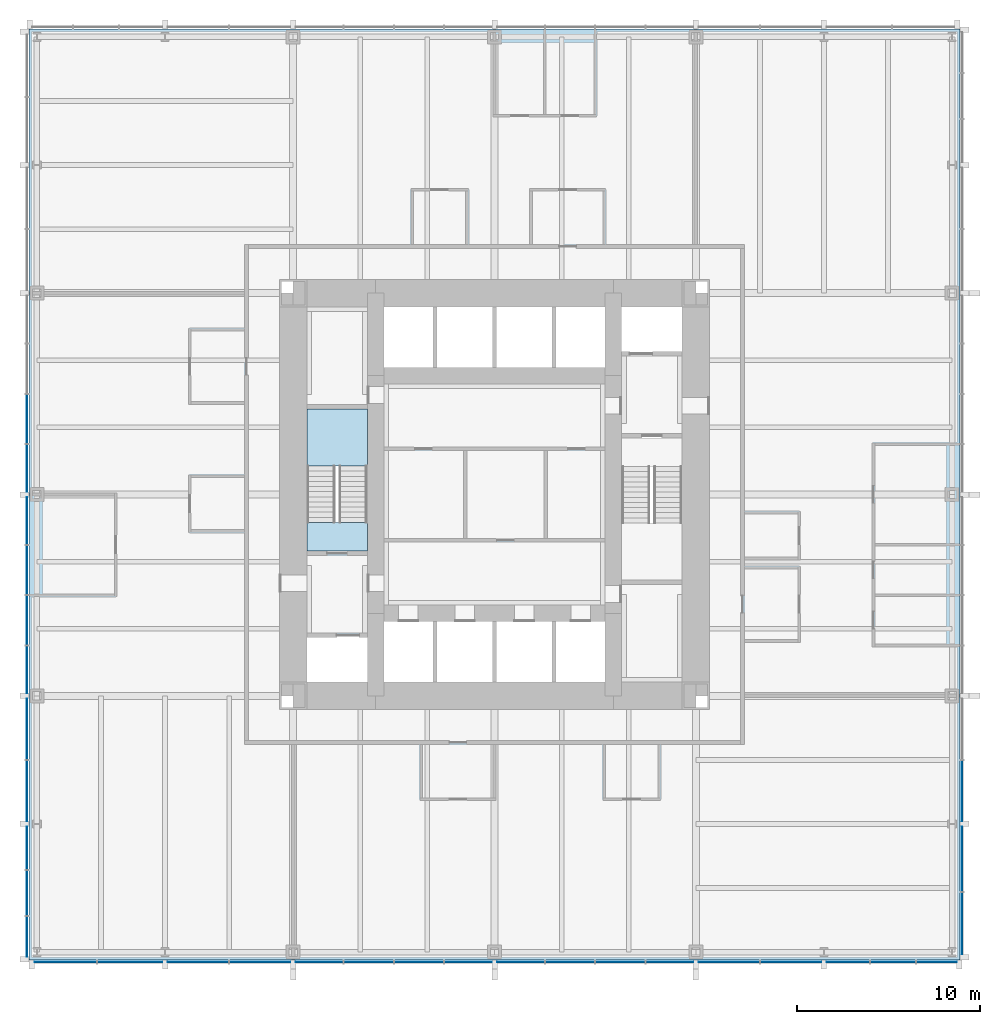
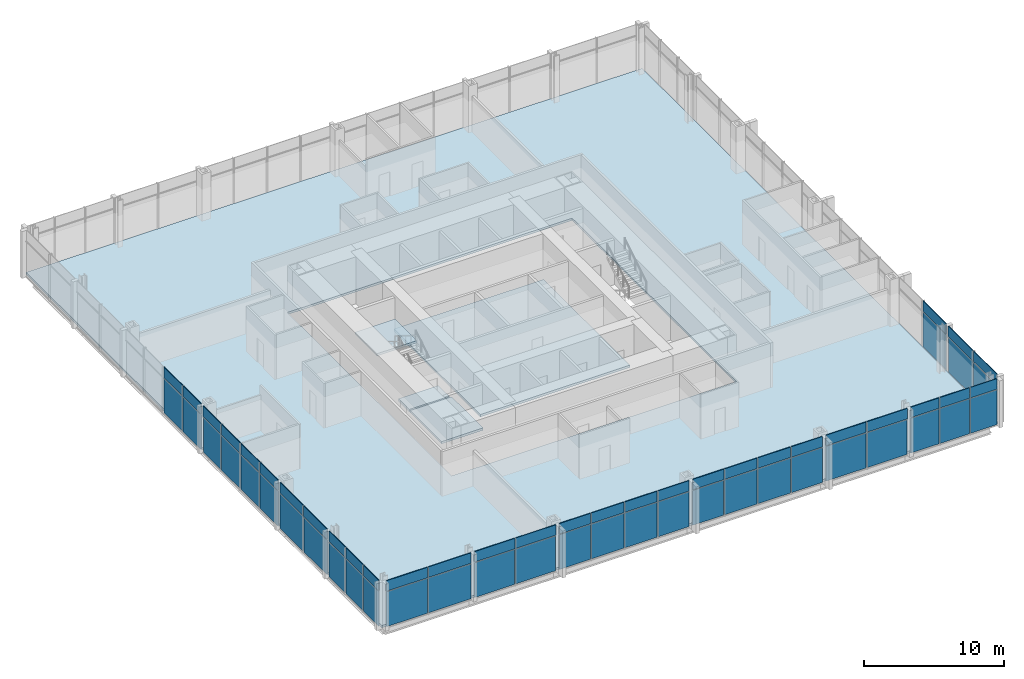
# One storey, part 7 of 12: 62 plates, 5 slabs, 4 elements without a shape of their own.
"""IFC4 building model written with IfcOpenShell, lengths in metres."""

from ifc_helpers import new_model, si_unit, direction, frame, origin, origin_2d, place, context, subcontext, project, spatial, polyline, rectangle, outline, extrude, material, layer, layer_set, type_object, element, aggregate, save


model = new_model("IFC4")

# Units and contexts
model_context = context("Model", 3, precision=1e-05, world=origin(), true_north=direction((0.0, 1.0)))
body_context = subcontext(model_context, "Body", "Model", "MODEL_VIEW")
ifc_project = project(units=[si_unit("LENGTHUNIT", "METRE"), si_unit("AREAUNIT", "SQUARE_METRE"), si_unit("VOLUMEUNIT", "CUBIC_METRE"), si_unit("PLANEANGLEUNIT", "RADIAN"), si_unit("MASSUNIT", "GRAM", prefix="KILO")], contexts=[model_context])

# Site, building, storey
site_placement = place(None, origin())
site = spatial("IfcSite", under=ifc_project, at=site_placement, CompositionType="ELEMENT")
building_placement = place(site_placement, origin())
building = spatial("IfcBuilding", under=site, at=building_placement, Name="Trevanion Tower", CompositionType="ELEMENT")
storey_placement = place(building_placement, frame((0.0, 0.0, 20.10009765625)))
storey = spatial("IfcBuildingStorey", under=building, at=storey_placement, Name="L04", CompositionType="ELEMENT", Elevation=20.10009765625)

# Curtain wall, plates
ifc_material_1 = material(Name="Aluminium and glass", Category="aluminium")
curtain_wall_type = type_object("IfcCurtainWallType", Name="CW1 curtain wall", PredefinedType="USERDEFINED", material=ifc_material_1)
curtain_wall_1_placement = place(storey_placement, origin())
curtain_wall_1 = element("IfcCurtainWall", 1, at=curtain_wall_1_placement, inside=storey, type_object=curtain_wall_type, Name="CW1 L04 0", ObjectType="UNITISED CURTAIN WALL", PredefinedType="USERDEFINED")
ifc_material_2 = material(Name="Aluminium spandrel panel", Category="aluminium")
ifc_layer_1 = layer(ifc_material_2, 0.06005859375)
ifc_layer_set_1 = layer_set([ifc_layer_1], Name="CW1 spandrel panel")
plate_type_1 = type_object("IfcPlateType", Name="CW1 spandrel panel", PredefinedType="CURTAIN_PANEL", material=ifc_layer_set_1)
plate_1_placement = place(storey_placement, frame((25.550048828125, -23.433837890625, 2.997314453125), z_axis=(0.0, 0.0, 1.0), x_axis=(0.0, 1.0, 0.0)))
plate_1 = element("IfcPlate", 2, at=plate_1_placement, type_object=plate_type_1, Name="CW1 panel 1.2", PredefinedType="CURTAIN_PANEL", context=body_context, shape_type="SweptSolid", body=[
    extrude(rectangle(XDim=3.37255859375, YDim=0.06005859375, at=origin_2d()), origin(), (0.0, 0.0, 1.0), 0.91259765625),
])
plate_2_placement = place(storey_placement, frame((25.550048828125, -19.911376953125, 2.997314453125), z_axis=(0.0, 0.0, 1.0), x_axis=(0.0, 1.0, 0.0)))
plate_2 = element("IfcPlate", 3, at=plate_2_placement, type_object=plate_type_1, Name="CW1 panel 2.2", PredefinedType="CURTAIN_PANEL", context=body_context, shape_type="SweptSolid", body=[
    extrude(rectangle(XDim=3.5224609375, YDim=0.06005859375, at=origin_2d()), origin(), (0.0, 0.0, 1.0), 0.91259765625),
])
plate_3_placement = place(storey_placement, frame((25.550048828125, -16.19384765625, 2.997314453125), z_axis=(0.0, 0.0, 1.0), x_axis=(0.0, 1.0, 0.0)))
plate_3 = element("IfcPlate", 4, at=plate_3_placement, type_object=plate_type_1, Name="CW1 panel 3.2", PredefinedType="CURTAIN_PANEL", context=body_context, shape_type="SweptSolid", body=[
    extrude(rectangle(XDim=3.3125, YDim=0.06005859375, at=origin_2d()), origin(), (0.0, 0.0, 1.0), 0.91259765625),
])

curtain_wall_2_placement = place(storey_placement, origin())
curtain_wall_2 = element("IfcCurtainWall", 5, at=curtain_wall_2_placement, inside=storey, type_object=curtain_wall_type, Name="CW1 L04 2", ObjectType="UNITISED CURTAIN WALL", PredefinedType="USERDEFINED")
plate_4_placement = place(storey_placement, frame((-25.550048828125, 4.125, 2.997314453125), z_axis=(0.0, 0.0, 1.0), x_axis=(0.0, -1.0, 0.0)))
plate_4 = element("IfcPlate", 6, at=plate_4_placement, type_object=plate_type_1, Name="CW1 panel 7.2", PredefinedType="CURTAIN_PANEL", context=body_context, shape_type="SweptSolid", body=[
    extrude(rectangle(XDim=2.675048828125, YDim=0.06005859375, at=origin_2d()), origin(), (0.0, 0.0, 1.0), 0.91259765625),
])
plate_5_placement = place(storey_placement, frame((-25.550048828125, 1.43115234375, 2.997314453125), z_axis=(0.0, 0.0, 1.0), x_axis=(0.0, -1.0, 0.0)))
plate_5 = element("IfcPlate", 7, at=plate_5_placement, type_object=plate_type_1, Name="CW1 panel 8.2", PredefinedType="CURTAIN_PANEL", context=body_context, shape_type="SweptSolid", body=[
    extrude(rectangle(XDim=2.5625, YDim=0.06005859375, at=origin_2d()), origin(), (0.0, 0.0, 1.0), 0.91259765625),
])
plate_6_placement = place(storey_placement, frame((-25.550048828125, -1.43115234375, 2.997314453125), z_axis=(0.0, 0.0, 1.0), x_axis=(0.0, -1.0, 0.0)))
plate_6 = element("IfcPlate", 8, at=plate_6_placement, type_object=plate_type_1, Name="CW1 panel 9.2", PredefinedType="CURTAIN_PANEL", context=body_context, shape_type="SweptSolid", body=[
    extrude(rectangle(XDim=2.5625, YDim=0.06005859375, at=origin_2d()), origin(), (0.0, 0.0, 1.0), 0.91259765625),
])
plate_7_placement = place(storey_placement, frame((-25.550048828125, -4.125, 2.997314453125), z_axis=(0.0, 0.0, 1.0), x_axis=(0.0, -1.0, 0.0)))
plate_7 = element("IfcPlate", 9, at=plate_7_placement, type_object=plate_type_1, Name="CW1 panel 10.2", PredefinedType="CURTAIN_PANEL", context=body_context, shape_type="SweptSolid", body=[
    extrude(rectangle(XDim=2.675048828125, YDim=0.06005859375, at=origin_2d()), origin(), (0.0, 0.0, 1.0), 0.91259765625),
])
plate_8_placement = place(storey_placement, frame((-25.550048828125, -6.875, 2.997314453125), z_axis=(0.0, 0.0, 1.0), x_axis=(0.0, -1.0, 0.0)))
plate_8 = element("IfcPlate", 10, at=plate_8_placement, type_object=plate_type_1, Name="CW1 panel 11.2", PredefinedType="CURTAIN_PANEL", context=body_context, shape_type="SweptSolid", body=[
    extrude(rectangle(XDim=2.675048828125, YDim=0.06005859375, at=origin_2d()), origin(), (0.0, 0.0, 1.0), 0.91259765625),
])
plate_9_placement = place(storey_placement, frame((-25.550048828125, -9.56884765625, 2.997314453125), z_axis=(0.0, 0.0, 1.0), x_axis=(0.0, -1.0, 0.0)))
plate_9 = element("IfcPlate", 11, at=plate_9_placement, type_object=plate_type_1, Name="CW1 panel 12.2", PredefinedType="CURTAIN_PANEL", context=body_context, shape_type="SweptSolid", body=[
    extrude(rectangle(XDim=2.5625, YDim=0.06005859375, at=origin_2d()), origin(), (0.0, 0.0, 1.0), 0.91259765625),
])
plate_10_placement = place(storey_placement, frame((-25.550048828125, -12.80615234375, 2.997314453125), z_axis=(0.0, 0.0, 1.0), x_axis=(0.0, -1.0, 0.0)))
plate_10 = element("IfcPlate", 12, at=plate_10_placement, type_object=plate_type_1, Name="CW1 panel 13.2", PredefinedType="CURTAIN_PANEL", context=body_context, shape_type="SweptSolid", body=[
    extrude(rectangle(XDim=3.3125, YDim=0.06005859375, at=origin_2d()), origin(), (0.0, 0.0, 1.0), 0.91259765625),
])
plate_11_placement = place(storey_placement, frame((-25.550048828125, -16.19384765625, 2.997314453125), z_axis=(0.0, 0.0, 1.0), x_axis=(0.0, -1.0, 0.0)))
plate_11 = element("IfcPlate", 13, at=plate_11_placement, type_object=plate_type_1, Name="CW1 panel 14.2", PredefinedType="CURTAIN_PANEL", context=body_context, shape_type="SweptSolid", body=[
    extrude(rectangle(XDim=3.3125, YDim=0.06005859375, at=origin_2d()), origin(), (0.0, 0.0, 1.0), 0.91259765625),
])
plate_12_placement = place(storey_placement, frame((-25.550048828125, -19.314697265625, 2.997314453125), z_axis=(0.0, 0.0, 1.0), x_axis=(0.0, -1.0, 0.0)))
plate_12 = element("IfcPlate", 14, at=plate_12_placement, type_object=plate_type_1, Name="CW1 panel 15.2", PredefinedType="CURTAIN_PANEL", context=body_context, shape_type="SweptSolid", body=[
    extrude(rectangle(XDim=2.3291015625, YDim=0.06005859375, at=origin_2d()), origin(), (0.0, 0.0, 1.0), 0.91259765625),
])
plate_13_placement = place(storey_placement, frame((-25.550048828125, -21.77490234375, 2.997314453125), z_axis=(0.0, 0.0, 1.0), x_axis=(0.0, -1.0, 0.0)))
plate_13 = element("IfcPlate", 15, at=plate_13_placement, type_object=plate_type_1, Name="CW1 panel 16.2", PredefinedType="CURTAIN_PANEL", context=body_context, shape_type="SweptSolid", body=[
    extrude(rectangle(XDim=2.441650390625, YDim=0.06005859375, at=origin_2d()), origin(), (0.0, 0.0, 1.0), 0.91259765625),
])
plate_14_placement = place(storey_placement, frame((-25.550048828125, -24.160400390625, 2.997314453125), z_axis=(0.0, 0.0, 1.0), x_axis=(0.0, -1.0, 0.0)))
plate_14 = element("IfcPlate", 16, at=plate_14_placement, type_object=plate_type_1, Name="CW1 panel 17.2", PredefinedType="CURTAIN_PANEL", context=body_context, shape_type="SweptSolid", body=[
    extrude(rectangle(XDim=2.17919921875, YDim=0.06005859375, at=origin_2d()), origin(), (0.0, 0.0, 1.0), 0.91259765625),
])

curtain_wall_3_placement = place(storey_placement, origin())
curtain_wall_3 = element("IfcCurtainWall", 17, at=curtain_wall_3_placement, inside=storey, type_object=curtain_wall_type, Name="CW1 L04 3", ObjectType="UNITISED CURTAIN WALL", PredefinedType="USERDEFINED")
plate_15_placement = place(storey_placement, frame((-23.433837890625, -25.550048828125, 2.997314453125), z_axis=(0.0, 0.0, 1.0), x_axis=(1.0, 0.0, 0.0)))
plate_15 = element("IfcPlate", 18, at=plate_15_placement, type_object=plate_type_1, Name="CW1 panel 1.2", PredefinedType="CURTAIN_PANEL", context=body_context, shape_type="SweptSolid", body=[
    extrude(rectangle(XDim=3.37255859375, YDim=0.06005859375, at=origin_2d()), origin(), (0.0, 0.0, 1.0), 0.91259765625),
])
plate_16_placement = place(storey_placement, frame((-19.911376953125, -25.550048828125, 2.997314453125), z_axis=(0.0, 0.0, 1.0), x_axis=(1.0, 0.0, 0.0)))
plate_16 = element("IfcPlate", 19, at=plate_16_placement, type_object=plate_type_1, Name="CW1 panel 2.2", PredefinedType="CURTAIN_PANEL", context=body_context, shape_type="SweptSolid", body=[
    extrude(rectangle(XDim=3.5224609375, YDim=0.06005859375, at=origin_2d()), origin(), (0.0, 0.0, 1.0), 0.91259765625),
])
plate_17_placement = place(storey_placement, frame((-16.19384765625, -25.550048828125, 2.997314453125), z_axis=(0.0, 0.0, 1.0), x_axis=(1.0, 0.0, 0.0)))
plate_17 = element("IfcPlate", 20, at=plate_17_placement, type_object=plate_type_1, Name="CW1 panel 3.2", PredefinedType="CURTAIN_PANEL", context=body_context, shape_type="SweptSolid", body=[
    extrude(rectangle(XDim=3.3125, YDim=0.06005859375, at=origin_2d()), origin(), (0.0, 0.0, 1.0), 0.91259765625),
])
plate_18_placement = place(storey_placement, frame((-12.806396484375, -25.550048828125, 2.997314453125), z_axis=(0.0, 0.0, 1.0), x_axis=(1.0, 0.0, 0.0)))
plate_18 = element("IfcPlate", 21, at=plate_18_placement, type_object=plate_type_1, Name="CW1 panel 4.2", PredefinedType="CURTAIN_PANEL", context=body_context, shape_type="SweptSolid", body=[
    extrude(rectangle(XDim=3.3125, YDim=0.06005859375, at=origin_2d()), origin(), (0.0, 0.0, 1.0), 0.91259765625),
])
plate_19_placement = place(storey_placement, frame((-9.56884765625, -25.550048828125, 2.997314453125), z_axis=(0.0, 0.0, 1.0), x_axis=(1.0, 0.0, 0.0)))
plate_19 = element("IfcPlate", 22, at=plate_19_placement, type_object=plate_type_1, Name="CW1 panel 5.2", PredefinedType="CURTAIN_PANEL", context=body_context, shape_type="SweptSolid", body=[
    extrude(rectangle(XDim=2.5625, YDim=0.06005859375, at=origin_2d()), origin(), (0.0, 0.0, 1.0), 0.91259765625),
])
plate_20_placement = place(storey_placement, frame((-6.875, -25.550048828125, 2.997314453125), z_axis=(0.0, 0.0, 1.0), x_axis=(1.0, 0.0, 0.0)))
plate_20 = element("IfcPlate", 23, at=plate_20_placement, type_object=plate_type_1, Name="CW1 panel 6.2", PredefinedType="CURTAIN_PANEL", context=body_context, shape_type="SweptSolid", body=[
    extrude(rectangle(XDim=2.675048828125, YDim=0.06005859375, at=origin_2d()), origin(), (0.0, 0.0, 1.0), 0.91259765625),
])
plate_21_placement = place(storey_placement, frame((-4.125, -25.550048828125, 2.997314453125), z_axis=(0.0, 0.0, 1.0), x_axis=(1.0, 0.0, 0.0)))
plate_21 = element("IfcPlate", 24, at=plate_21_placement, type_object=plate_type_1, Name="CW1 panel 7.2", PredefinedType="CURTAIN_PANEL", context=body_context, shape_type="SweptSolid", body=[
    extrude(rectangle(XDim=2.675048828125, YDim=0.06005859375, at=origin_2d()), origin(), (0.0, 0.0, 1.0), 0.91259765625),
])
plate_22_placement = place(storey_placement, frame((-1.43115234375, -25.550048828125, 2.997314453125), z_axis=(0.0, 0.0, 1.0), x_axis=(1.0, 0.0, 0.0)))
plate_22 = element("IfcPlate", 25, at=plate_22_placement, type_object=plate_type_1, Name="CW1 panel 8.2", PredefinedType="CURTAIN_PANEL", context=body_context, shape_type="SweptSolid", body=[
    extrude(rectangle(XDim=2.5625, YDim=0.06005859375, at=origin_2d()), origin(), (0.0, 0.0, 1.0), 0.91259765625),
])
plate_23_placement = place(storey_placement, frame((1.43115234375, -25.550048828125, 2.997314453125), z_axis=(0.0, 0.0, 1.0), x_axis=(1.0, 0.0, 0.0)))
plate_23 = element("IfcPlate", 26, at=plate_23_placement, type_object=plate_type_1, Name="CW1 panel 9.2", PredefinedType="CURTAIN_PANEL", context=body_context, shape_type="SweptSolid", body=[
    extrude(rectangle(XDim=2.5625, YDim=0.06005859375, at=origin_2d()), origin(), (0.0, 0.0, 1.0), 0.91259765625),
])
plate_24_placement = place(storey_placement, frame((4.125, -25.550048828125, 2.997314453125), z_axis=(0.0, 0.0, 1.0), x_axis=(1.0, 0.0, 0.0)))
plate_24 = element("IfcPlate", 27, at=plate_24_placement, type_object=plate_type_1, Name="CW1 panel 10.2", PredefinedType="CURTAIN_PANEL", context=body_context, shape_type="SweptSolid", body=[
    extrude(rectangle(XDim=2.675048828125, YDim=0.06005859375, at=origin_2d()), origin(), (0.0, 0.0, 1.0), 0.91259765625),
])
plate_25_placement = place(storey_placement, frame((6.875, -25.550048828125, 2.997314453125), z_axis=(0.0, 0.0, 1.0), x_axis=(1.0, 0.0, 0.0)))
plate_25 = element("IfcPlate", 28, at=plate_25_placement, type_object=plate_type_1, Name="CW1 panel 11.2", PredefinedType="CURTAIN_PANEL", context=body_context, shape_type="SweptSolid", body=[
    extrude(rectangle(XDim=2.675048828125, YDim=0.06005859375, at=origin_2d()), origin(), (0.0, 0.0, 1.0), 0.91259765625),
])
plate_26_placement = place(storey_placement, frame((9.56884765625, -25.550048828125, 2.997314453125), z_axis=(0.0, 0.0, 1.0), x_axis=(1.0, 0.0, 0.0)))
plate_26 = element("IfcPlate", 29, at=plate_26_placement, type_object=plate_type_1, Name="CW1 panel 12.2", PredefinedType="CURTAIN_PANEL", context=body_context, shape_type="SweptSolid", body=[
    extrude(rectangle(XDim=2.5625, YDim=0.06005859375, at=origin_2d()), origin(), (0.0, 0.0, 1.0), 0.91259765625),
])
plate_27_placement = place(storey_placement, frame((12.80615234375, -25.550048828125, 2.997314453125), z_axis=(0.0, 0.0, 1.0), x_axis=(1.0, 0.0, 0.0)))
plate_27 = element("IfcPlate", 30, at=plate_27_placement, type_object=plate_type_1, Name="CW1 panel 13.2", PredefinedType="CURTAIN_PANEL", context=body_context, shape_type="SweptSolid", body=[
    extrude(rectangle(XDim=3.3125, YDim=0.06005859375, at=origin_2d()), origin(), (0.0, 0.0, 1.0), 0.91259765625),
])
plate_28_placement = place(storey_placement, frame((16.19384765625, -25.550048828125, 2.997314453125), z_axis=(0.0, 0.0, 1.0), x_axis=(1.0, 0.0, 0.0)))
plate_28 = element("IfcPlate", 31, at=plate_28_placement, type_object=plate_type_1, Name="CW1 panel 14.2", PredefinedType="CURTAIN_PANEL", context=body_context, shape_type="SweptSolid", body=[
    extrude(rectangle(XDim=3.3125, YDim=0.06005859375, at=origin_2d()), origin(), (0.0, 0.0, 1.0), 0.91259765625),
])
plate_29_placement = place(storey_placement, frame((19.314697265625, -25.550048828125, 2.997314453125), z_axis=(0.0, 0.0, 1.0), x_axis=(1.0, 0.0, 0.0)))
plate_29 = element("IfcPlate", 32, at=plate_29_placement, type_object=plate_type_1, Name="CW1 panel 15.2", PredefinedType="CURTAIN_PANEL", context=body_context, shape_type="SweptSolid", body=[
    extrude(rectangle(XDim=2.3291015625, YDim=0.06005859375, at=origin_2d()), origin(), (0.0, 0.0, 1.0), 0.91259765625),
])
plate_30_placement = place(storey_placement, frame((21.77490234375, -25.550048828125, 2.997314453125), z_axis=(0.0, 0.0, 1.0), x_axis=(1.0, 0.0, 0.0)))
plate_30 = element("IfcPlate", 33, at=plate_30_placement, type_object=plate_type_1, Name="CW1 panel 16.2", PredefinedType="CURTAIN_PANEL", context=body_context, shape_type="SweptSolid", body=[
    extrude(rectangle(XDim=2.441650390625, YDim=0.06005859375, at=origin_2d()), origin(), (0.0, 0.0, 1.0), 0.91259765625),
])
plate_31_placement = place(storey_placement, frame((24.160400390625, -25.550048828125, 2.997314453125), z_axis=(0.0, 0.0, 1.0), x_axis=(1.0, 0.0, 0.0)))
plate_31 = element("IfcPlate", 34, at=plate_31_placement, type_object=plate_type_1, Name="CW1 panel 17.2", PredefinedType="CURTAIN_PANEL", context=body_context, shape_type="SweptSolid", body=[
    extrude(rectangle(XDim=2.17919921875, YDim=0.06005859375, at=origin_2d()), origin(), (0.0, 0.0, 1.0), 0.91259765625),
])

# Plate
ifc_material_3 = material(Name="Insulating glass unit", Category="glass")
ifc_layer_2 = layer(ifc_material_3, 0.028076171875)
ifc_layer_set_2 = layer_set([ifc_layer_2], Name="CW1 vision panel")
plate_type_2 = type_object("IfcPlateType", Name="CW1 vision panel", PredefinedType="CURTAIN_PANEL", material=ifc_layer_set_2)
plate_32_placement = place(storey_placement, frame((25.550048828125, -23.433837890625, -0.114990234375), z_axis=(0.0, 0.0, 1.0), x_axis=(0.0, 1.0, 0.0)))
plate_32 = element("IfcPlate", 35, at=plate_32_placement, type_object=plate_type_2, Name="CW1 panel 1.1", PredefinedType="CURTAIN_PANEL", context=body_context, shape_type="SweptSolid", body=[
    extrude(rectangle(XDim=3.37255859375, YDim=0.028076171875, at=origin_2d()), origin(), (0.0, 0.0, 1.0), 3.03759765625),
])

plate_33_placement = place(storey_placement, frame((25.550048828125, -19.911376953125, -0.114990234375), z_axis=(0.0, 0.0, 1.0), x_axis=(0.0, 1.0, 0.0)))
plate_33 = element("IfcPlate", 36, at=plate_33_placement, type_object=plate_type_2, Name="CW1 panel 2.1", PredefinedType="CURTAIN_PANEL", context=body_context, shape_type="SweptSolid", body=[
    extrude(rectangle(XDim=3.5224609375, YDim=0.028076171875, at=origin_2d()), origin(), (0.0, 0.0, 1.0), 3.03759765625),
])

plate_34_placement = place(storey_placement, frame((25.550048828125, -16.19384765625, -0.114990234375), z_axis=(0.0, 0.0, 1.0), x_axis=(0.0, 1.0, 0.0)))
plate_34 = element("IfcPlate", 37, at=plate_34_placement, type_object=plate_type_2, Name="CW1 panel 3.1", PredefinedType="CURTAIN_PANEL", context=body_context, shape_type="SweptSolid", body=[
    extrude(rectangle(XDim=3.3125, YDim=0.028076171875, at=origin_2d()), origin(), (0.0, 0.0, 1.0), 3.03759765625),
])

aggregate(curtain_wall_1, [plate_32, plate_1, plate_33, plate_2, plate_34, plate_3])

plate_35_placement = place(storey_placement, frame((-25.550048828125, 4.125, -0.114990234375), z_axis=(0.0, 0.0, 1.0), x_axis=(0.0, -1.0, 0.0)))
plate_35 = element("IfcPlate", 38, at=plate_35_placement, type_object=plate_type_2, Name="CW1 panel 7.1", PredefinedType="CURTAIN_PANEL", context=body_context, shape_type="SweptSolid", body=[
    extrude(rectangle(XDim=2.675048828125, YDim=0.028076171875, at=origin_2d()), origin(), (0.0, 0.0, 1.0), 3.03759765625),
])

plate_36_placement = place(storey_placement, frame((-25.550048828125, 1.43115234375, -0.114990234375), z_axis=(0.0, 0.0, 1.0), x_axis=(0.0, -1.0, 0.0)))
plate_36 = element("IfcPlate", 39, at=plate_36_placement, type_object=plate_type_2, Name="CW1 panel 8.1", PredefinedType="CURTAIN_PANEL", context=body_context, shape_type="SweptSolid", body=[
    extrude(rectangle(XDim=2.5625, YDim=0.028076171875, at=origin_2d()), origin(), (0.0, 0.0, 1.0), 3.03759765625),
])

plate_37_placement = place(storey_placement, frame((-25.550048828125, -1.43115234375, -0.114990234375), z_axis=(0.0, 0.0, 1.0), x_axis=(0.0, -1.0, 0.0)))
plate_37 = element("IfcPlate", 40, at=plate_37_placement, type_object=plate_type_2, Name="CW1 panel 9.1", PredefinedType="CURTAIN_PANEL", context=body_context, shape_type="SweptSolid", body=[
    extrude(rectangle(XDim=2.5625, YDim=0.028076171875, at=origin_2d()), origin(), (0.0, 0.0, 1.0), 3.03759765625),
])

plate_38_placement = place(storey_placement, frame((-25.550048828125, -4.125, -0.114990234375), z_axis=(0.0, 0.0, 1.0), x_axis=(0.0, -1.0, 0.0)))
plate_38 = element("IfcPlate", 41, at=plate_38_placement, type_object=plate_type_2, Name="CW1 panel 10.1", PredefinedType="CURTAIN_PANEL", context=body_context, shape_type="SweptSolid", body=[
    extrude(rectangle(XDim=2.675048828125, YDim=0.028076171875, at=origin_2d()), origin(), (0.0, 0.0, 1.0), 3.03759765625),
])

plate_39_placement = place(storey_placement, frame((-25.550048828125, -6.875, -0.114990234375), z_axis=(0.0, 0.0, 1.0), x_axis=(0.0, -1.0, 0.0)))
plate_39 = element("IfcPlate", 42, at=plate_39_placement, type_object=plate_type_2, Name="CW1 panel 11.1", PredefinedType="CURTAIN_PANEL", context=body_context, shape_type="SweptSolid", body=[
    extrude(rectangle(XDim=2.675048828125, YDim=0.028076171875, at=origin_2d()), origin(), (0.0, 0.0, 1.0), 3.03759765625),
])

plate_40_placement = place(storey_placement, frame((-25.550048828125, -9.56884765625, -0.114990234375), z_axis=(0.0, 0.0, 1.0), x_axis=(0.0, -1.0, 0.0)))
plate_40 = element("IfcPlate", 43, at=plate_40_placement, type_object=plate_type_2, Name="CW1 panel 12.1", PredefinedType="CURTAIN_PANEL", context=body_context, shape_type="SweptSolid", body=[
    extrude(rectangle(XDim=2.5625, YDim=0.028076171875, at=origin_2d()), origin(), (0.0, 0.0, 1.0), 3.03759765625),
])

plate_41_placement = place(storey_placement, frame((-25.550048828125, -12.80615234375, -0.114990234375), z_axis=(0.0, 0.0, 1.0), x_axis=(0.0, -1.0, 0.0)))
plate_41 = element("IfcPlate", 44, at=plate_41_placement, type_object=plate_type_2, Name="CW1 panel 13.1", PredefinedType="CURTAIN_PANEL", context=body_context, shape_type="SweptSolid", body=[
    extrude(rectangle(XDim=3.3125, YDim=0.028076171875, at=origin_2d()), origin(), (0.0, 0.0, 1.0), 3.03759765625),
])

plate_42_placement = place(storey_placement, frame((-25.550048828125, -16.19384765625, -0.114990234375), z_axis=(0.0, 0.0, 1.0), x_axis=(0.0, -1.0, 0.0)))
plate_42 = element("IfcPlate", 45, at=plate_42_placement, type_object=plate_type_2, Name="CW1 panel 14.1", PredefinedType="CURTAIN_PANEL", context=body_context, shape_type="SweptSolid", body=[
    extrude(rectangle(XDim=3.3125, YDim=0.028076171875, at=origin_2d()), origin(), (0.0, 0.0, 1.0), 3.03759765625),
])

plate_43_placement = place(storey_placement, frame((-25.550048828125, -19.314697265625, -0.114990234375), z_axis=(0.0, 0.0, 1.0), x_axis=(0.0, -1.0, 0.0)))
plate_43 = element("IfcPlate", 46, at=plate_43_placement, type_object=plate_type_2, Name="CW1 panel 15.1", PredefinedType="CURTAIN_PANEL", context=body_context, shape_type="SweptSolid", body=[
    extrude(rectangle(XDim=2.3291015625, YDim=0.028076171875, at=origin_2d()), origin(), (0.0, 0.0, 1.0), 3.03759765625),
])

plate_44_placement = place(storey_placement, frame((-25.550048828125, -21.77490234375, -0.114990234375), z_axis=(0.0, 0.0, 1.0), x_axis=(0.0, -1.0, 0.0)))
plate_44 = element("IfcPlate", 47, at=plate_44_placement, type_object=plate_type_2, Name="CW1 panel 16.1", PredefinedType="CURTAIN_PANEL", context=body_context, shape_type="SweptSolid", body=[
    extrude(rectangle(XDim=2.441650390625, YDim=0.028076171875, at=origin_2d()), origin(), (0.0, 0.0, 1.0), 3.03759765625),
])

plate_45_placement = place(storey_placement, frame((-25.550048828125, -24.160400390625, -0.114990234375), z_axis=(0.0, 0.0, 1.0), x_axis=(0.0, -1.0, 0.0)))
plate_45 = element("IfcPlate", 48, at=plate_45_placement, type_object=plate_type_2, Name="CW1 panel 17.1", PredefinedType="CURTAIN_PANEL", context=body_context, shape_type="SweptSolid", body=[
    extrude(rectangle(XDim=2.17919921875, YDim=0.028076171875, at=origin_2d()), origin(), (0.0, 0.0, 1.0), 3.03759765625),
])

aggregate(curtain_wall_2, [plate_35, plate_4, plate_36, plate_5, plate_37, plate_6, plate_38, plate_7, plate_39, plate_8, plate_40, plate_9, plate_41, plate_10, plate_42, plate_11, plate_43, plate_12, plate_44, plate_13, plate_45, plate_14])

plate_46_placement = place(storey_placement, frame((-23.433837890625, -25.550048828125, -0.114990234375), z_axis=(0.0, 0.0, 1.0), x_axis=(1.0, 0.0, 0.0)))
plate_46 = element("IfcPlate", 49, at=plate_46_placement, type_object=plate_type_2, Name="CW1 panel 1.1", PredefinedType="CURTAIN_PANEL", context=body_context, shape_type="SweptSolid", body=[
    extrude(rectangle(XDim=3.37255859375, YDim=0.028076171875, at=origin_2d()), origin(), (0.0, 0.0, 1.0), 3.03759765625),
])

plate_47_placement = place(storey_placement, frame((-19.911376953125, -25.550048828125, -0.114990234375), z_axis=(0.0, 0.0, 1.0), x_axis=(1.0, 0.0, 0.0)))
plate_47 = element("IfcPlate", 50, at=plate_47_placement, type_object=plate_type_2, Name="CW1 panel 2.1", PredefinedType="CURTAIN_PANEL", context=body_context, shape_type="SweptSolid", body=[
    extrude(rectangle(XDim=3.5224609375, YDim=0.028076171875, at=origin_2d()), origin(), (0.0, 0.0, 1.0), 3.03759765625),
])

plate_48_placement = place(storey_placement, frame((-16.19384765625, -25.550048828125, -0.114990234375), z_axis=(0.0, 0.0, 1.0), x_axis=(1.0, 0.0, 0.0)))
plate_48 = element("IfcPlate", 51, at=plate_48_placement, type_object=plate_type_2, Name="CW1 panel 3.1", PredefinedType="CURTAIN_PANEL", context=body_context, shape_type="SweptSolid", body=[
    extrude(rectangle(XDim=3.3125, YDim=0.028076171875, at=origin_2d()), origin(), (0.0, 0.0, 1.0), 3.03759765625),
])

plate_49_placement = place(storey_placement, frame((-12.806396484375, -25.550048828125, -0.114990234375), z_axis=(0.0, 0.0, 1.0), x_axis=(1.0, 0.0, 0.0)))
plate_49 = element("IfcPlate", 52, at=plate_49_placement, type_object=plate_type_2, Name="CW1 panel 4.1", PredefinedType="CURTAIN_PANEL", context=body_context, shape_type="SweptSolid", body=[
    extrude(rectangle(XDim=3.3125, YDim=0.028076171875, at=origin_2d()), origin(), (0.0, 0.0, 1.0), 3.03759765625),
])

plate_50_placement = place(storey_placement, frame((-9.56884765625, -25.550048828125, -0.114990234375), z_axis=(0.0, 0.0, 1.0), x_axis=(1.0, 0.0, 0.0)))
plate_50 = element("IfcPlate", 53, at=plate_50_placement, type_object=plate_type_2, Name="CW1 panel 5.1", PredefinedType="CURTAIN_PANEL", context=body_context, shape_type="SweptSolid", body=[
    extrude(rectangle(XDim=2.5625, YDim=0.028076171875, at=origin_2d()), origin(), (0.0, 0.0, 1.0), 3.03759765625),
])

plate_51_placement = place(storey_placement, frame((-6.875, -25.550048828125, -0.114990234375), z_axis=(0.0, 0.0, 1.0), x_axis=(1.0, 0.0, 0.0)))
plate_51 = element("IfcPlate", 54, at=plate_51_placement, type_object=plate_type_2, Name="CW1 panel 6.1", PredefinedType="CURTAIN_PANEL", context=body_context, shape_type="SweptSolid", body=[
    extrude(rectangle(XDim=2.675048828125, YDim=0.028076171875, at=origin_2d()), origin(), (0.0, 0.0, 1.0), 3.03759765625),
])

plate_52_placement = place(storey_placement, frame((-4.125, -25.550048828125, -0.114990234375), z_axis=(0.0, 0.0, 1.0), x_axis=(1.0, 0.0, 0.0)))
plate_52 = element("IfcPlate", 55, at=plate_52_placement, type_object=plate_type_2, Name="CW1 panel 7.1", PredefinedType="CURTAIN_PANEL", context=body_context, shape_type="SweptSolid", body=[
    extrude(rectangle(XDim=2.675048828125, YDim=0.028076171875, at=origin_2d()), origin(), (0.0, 0.0, 1.0), 3.03759765625),
])

plate_53_placement = place(storey_placement, frame((-1.43115234375, -25.550048828125, -0.114990234375), z_axis=(0.0, 0.0, 1.0), x_axis=(1.0, 0.0, 0.0)))
plate_53 = element("IfcPlate", 56, at=plate_53_placement, type_object=plate_type_2, Name="CW1 panel 8.1", PredefinedType="CURTAIN_PANEL", context=body_context, shape_type="SweptSolid", body=[
    extrude(rectangle(XDim=2.5625, YDim=0.028076171875, at=origin_2d()), origin(), (0.0, 0.0, 1.0), 3.03759765625),
])

plate_54_placement = place(storey_placement, frame((1.43115234375, -25.550048828125, -0.114990234375), z_axis=(0.0, 0.0, 1.0), x_axis=(1.0, 0.0, 0.0)))
plate_54 = element("IfcPlate", 57, at=plate_54_placement, type_object=plate_type_2, Name="CW1 panel 9.1", PredefinedType="CURTAIN_PANEL", context=body_context, shape_type="SweptSolid", body=[
    extrude(rectangle(XDim=2.5625, YDim=0.028076171875, at=origin_2d()), origin(), (0.0, 0.0, 1.0), 3.03759765625),
])

plate_55_placement = place(storey_placement, frame((4.125, -25.550048828125, -0.114990234375), z_axis=(0.0, 0.0, 1.0), x_axis=(1.0, 0.0, 0.0)))
plate_55 = element("IfcPlate", 58, at=plate_55_placement, type_object=plate_type_2, Name="CW1 panel 10.1", PredefinedType="CURTAIN_PANEL", context=body_context, shape_type="SweptSolid", body=[
    extrude(rectangle(XDim=2.675048828125, YDim=0.028076171875, at=origin_2d()), origin(), (0.0, 0.0, 1.0), 3.03759765625),
])

plate_56_placement = place(storey_placement, frame((6.875, -25.550048828125, -0.114990234375), z_axis=(0.0, 0.0, 1.0), x_axis=(1.0, 0.0, 0.0)))
plate_56 = element("IfcPlate", 59, at=plate_56_placement, type_object=plate_type_2, Name="CW1 panel 11.1", PredefinedType="CURTAIN_PANEL", context=body_context, shape_type="SweptSolid", body=[
    extrude(rectangle(XDim=2.675048828125, YDim=0.028076171875, at=origin_2d()), origin(), (0.0, 0.0, 1.0), 3.03759765625),
])

plate_57_placement = place(storey_placement, frame((9.56884765625, -25.550048828125, -0.114990234375), z_axis=(0.0, 0.0, 1.0), x_axis=(1.0, 0.0, 0.0)))
plate_57 = element("IfcPlate", 60, at=plate_57_placement, type_object=plate_type_2, Name="CW1 panel 12.1", PredefinedType="CURTAIN_PANEL", context=body_context, shape_type="SweptSolid", body=[
    extrude(rectangle(XDim=2.5625, YDim=0.028076171875, at=origin_2d()), origin(), (0.0, 0.0, 1.0), 3.03759765625),
])

plate_58_placement = place(storey_placement, frame((12.80615234375, -25.550048828125, -0.114990234375), z_axis=(0.0, 0.0, 1.0), x_axis=(1.0, 0.0, 0.0)))
plate_58 = element("IfcPlate", 61, at=plate_58_placement, type_object=plate_type_2, Name="CW1 panel 13.1", PredefinedType="CURTAIN_PANEL", context=body_context, shape_type="SweptSolid", body=[
    extrude(rectangle(XDim=3.3125, YDim=0.028076171875, at=origin_2d()), origin(), (0.0, 0.0, 1.0), 3.03759765625),
])

plate_59_placement = place(storey_placement, frame((16.19384765625, -25.550048828125, -0.114990234375), z_axis=(0.0, 0.0, 1.0), x_axis=(1.0, 0.0, 0.0)))
plate_59 = element("IfcPlate", 62, at=plate_59_placement, type_object=plate_type_2, Name="CW1 panel 14.1", PredefinedType="CURTAIN_PANEL", context=body_context, shape_type="SweptSolid", body=[
    extrude(rectangle(XDim=3.3125, YDim=0.028076171875, at=origin_2d()), origin(), (0.0, 0.0, 1.0), 3.03759765625),
])

plate_60_placement = place(storey_placement, frame((19.314697265625, -25.550048828125, -0.114990234375), z_axis=(0.0, 0.0, 1.0), x_axis=(1.0, 0.0, 0.0)))
plate_60 = element("IfcPlate", 63, at=plate_60_placement, type_object=plate_type_2, Name="CW1 panel 15.1", PredefinedType="CURTAIN_PANEL", context=body_context, shape_type="SweptSolid", body=[
    extrude(rectangle(XDim=2.3291015625, YDim=0.028076171875, at=origin_2d()), origin(), (0.0, 0.0, 1.0), 3.03759765625),
])

plate_61_placement = place(storey_placement, frame((21.77490234375, -25.550048828125, -0.114990234375), z_axis=(0.0, 0.0, 1.0), x_axis=(1.0, 0.0, 0.0)))
plate_61 = element("IfcPlate", 64, at=plate_61_placement, type_object=plate_type_2, Name="CW1 panel 16.1", PredefinedType="CURTAIN_PANEL", context=body_context, shape_type="SweptSolid", body=[
    extrude(rectangle(XDim=2.441650390625, YDim=0.028076171875, at=origin_2d()), origin(), (0.0, 0.0, 1.0), 3.03759765625),
])

plate_62_placement = place(storey_placement, frame((24.160400390625, -25.550048828125, -0.114990234375), z_axis=(0.0, 0.0, 1.0), x_axis=(1.0, 0.0, 0.0)))
plate_62 = element("IfcPlate", 65, at=plate_62_placement, type_object=plate_type_2, Name="CW1 panel 17.1", PredefinedType="CURTAIN_PANEL", context=body_context, shape_type="SweptSolid", body=[
    extrude(rectangle(XDim=2.17919921875, YDim=0.028076171875, at=origin_2d()), origin(), (0.0, 0.0, 1.0), 3.03759765625),
])

aggregate(curtain_wall_3, [plate_46, plate_15, plate_47, plate_16, plate_48, plate_17, plate_49, plate_18, plate_50, plate_19, plate_51, plate_20, plate_52, plate_21, plate_53, plate_22, plate_54, plate_23, plate_55, plate_24, plate_56, plate_25, plate_57, plate_26, plate_58, plate_27, plate_59, plate_28, plate_60, plate_29, plate_61, plate_30, plate_62, plate_31])

# Slabs
ifc_material_4 = material(Name="Concrete 5,000 psi on composite metal deck", Category="concrete")
ifc_layer_3 = layer(ifc_material_4, 0.18994140625)
ifc_layer_set_3 = layer_set([ifc_layer_3], Name="SL1 composite floor 190")
slab_type_1 = type_object("IfcSlabType", Name="SL1 composite floor 190", PredefinedType="FLOOR", material=ifc_layer_set_3)
slab_1_placement = place(storey_placement, frame((0.0, 0.0, -0.190185546875)))
element("IfcSlab", 66, at=slab_1_placement, inside=storey, type_object=slab_type_1, Name="SL1 L04 floor", PredefinedType="FLOOR", context=body_context, shape_type="SweptSolid", body=[
    extrude(outline(polyline([(25.419921875, -25.419921875), (25.419921875, 25.419921875), (-25.419921875, 25.419921875), (-25.419921875, -25.419921875), (25.419921875, -25.419921875)]), holes=[polyline([(11.75, -11.75), (11.75, 11.75), (-11.75, 11.75), (-11.75, -11.75), (11.75, -11.75)])]), origin(), (0.0, 0.0, 1.0), 0.190185546875),
])
ifc_material_5 = material(Name="Concrete 5,000 psi", Category="concrete")
ifc_layer_4 = layer(ifc_material_5, 0.199951171875)
ifc_layer_set_4 = layer_set([ifc_layer_4], Name="SL2 core floor 200")
slab_type_2 = type_object("IfcSlabType", Name="SL2 core floor 200", PredefinedType="FLOOR", material=ifc_layer_set_4)
slab_2_placement = place(storey_placement, frame((0.0, 0.0, -0.2001953125)))
element("IfcSlab", 67, at=slab_2_placement, inside=storey, type_object=slab_type_2, Name="SL2 L04 core floor 2", PredefinedType="FLOOR", context=body_context, shape_type="SweptSolid", body=[
    extrude(outline(polyline([(-6.830078125, -3.205078125), (-6.830078125, -7.695068359375), (-10.25, -7.695068359375), (-10.25, -3.205078125), (-6.830078125, -3.205078125)])), origin(), (0.0, 0.0, 1.0), 0.2001953125),
])
slab_3_placement = place(storey_placement, frame((0.0, 0.0, -0.2001953125)))
element("IfcSlab", 68, at=slab_3_placement, inside=storey, type_object=slab_type_2, Name="SL2 L04 core floor 3", PredefinedType="FLOOR", context=body_context, shape_type="SweptSolid", body=[
    extrude(outline(polyline([(6.169921875, -6.169921875), (-6.169921875, -6.169921875), (-6.169921875, 6.169921875), (6.169921875, 6.169921875), (6.169921875, -6.169921875)])), origin(), (0.0, 0.0, 1.0), 0.2001953125),
])

# Stair, slabs
ifc_material_6 = material(Name="Concrete 5,000 psi on steel stringers", Category="concrete")
stair_type = type_object("IfcStairType", Name="ST stair", PredefinedType="HALF_TURN_STAIR", material=ifc_material_6)
stair_placement = place(storey_placement, origin())
stair = element("IfcStair", 69, at=stair_placement, inside=storey, type_object=stair_type, Name="ST2 L04", PredefinedType="HALF_TURN_STAIR")
ifc_material_7 = material(Name="Concrete 5,000 psi in steel pan", Category="concrete")
ifc_layer_5 = layer(ifc_material_7, 0.199951171875)
ifc_layer_set_5 = layer_set([ifc_layer_5], Name="STL stair landing 200")
slab_type_3 = type_object("IfcSlabType", Name="STL stair landing 200", PredefinedType="LANDING", material=ifc_layer_set_5)
slab_4_placement = place(storey_placement, frame((0.0, 0.0, -0.2001953125)))
slab_4 = element("IfcSlab", 70, at=slab_4_placement, type_object=slab_type_3, Name="ST2 landing 1", PredefinedType="LANDING", context=body_context, shape_type="SweptSolid", body=[
    extrude(outline(polyline([(-6.949951171875, -1.52490234375), (-10.25, -1.52490234375), (-10.25, -3.074951171875), (-6.949951171875, -3.074951171875), (-6.949951171875, -1.52490234375)])), origin(), (0.0, 0.0, 1.0), 0.2001953125),
])
slab_5_placement = place(storey_placement, frame((0.0, 0.0, 1.849853515625)))
slab_5 = element("IfcSlab", 71, at=slab_5_placement, type_object=slab_type_3, Name="ST2 landing 2", PredefinedType="LANDING", context=body_context, shape_type="SweptSolid", body=[
    extrude(outline(polyline([(-6.949951171875, 4.675048828125), (-10.25, 4.675048828125), (-10.25, 1.554931640625), (-6.949951171875, 1.554931640625), (-6.949951171875, 4.675048828125)])), origin(), (0.0, 0.0, 1.0), 0.199951171875),
])
aggregate(stair, [slab_4, slab_5])

save(model, "model.ifc")
